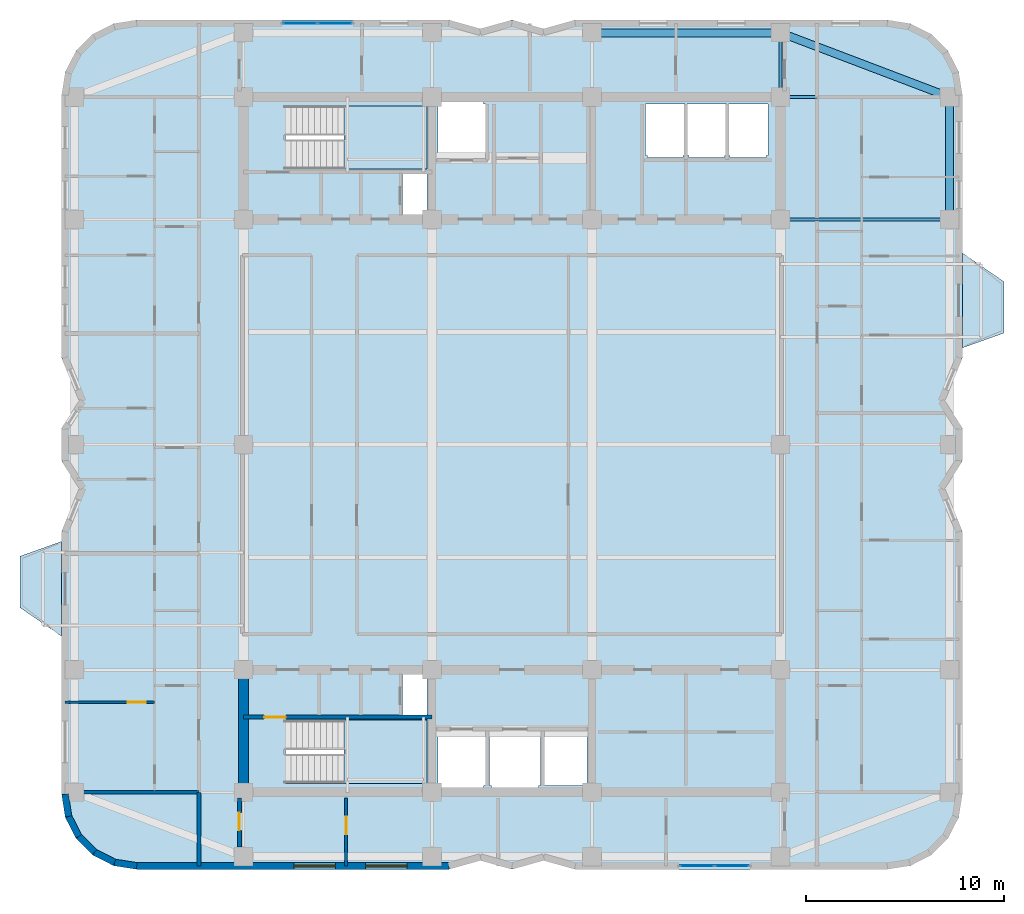
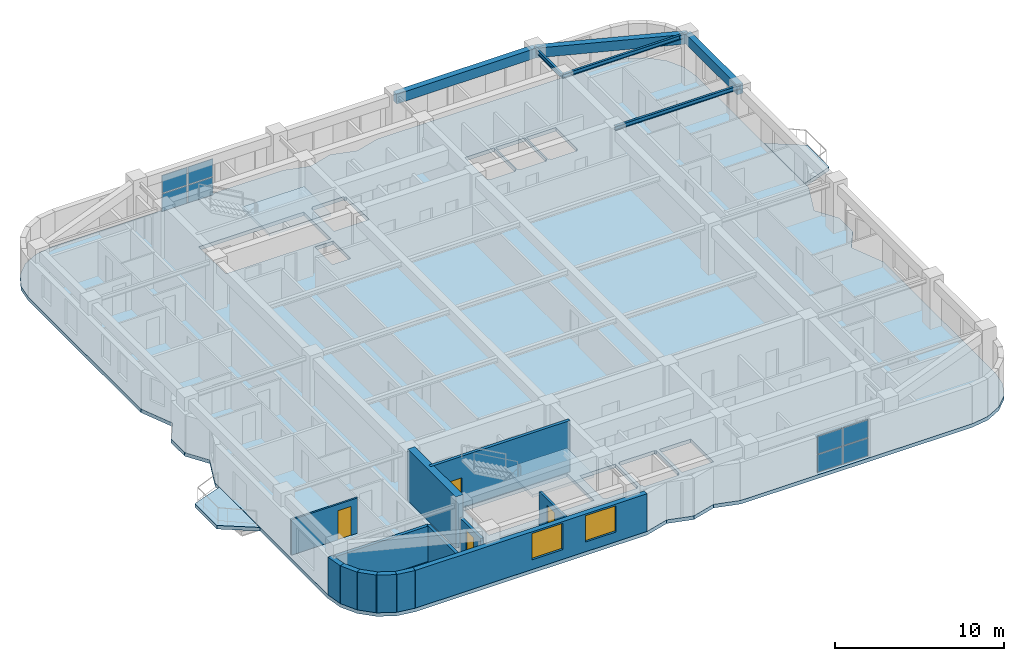
# One storey, part 4 of 12: 13 walls, 8 plates, 6 beams, 5 slabs, 4 doors, 2 windows, 6 openings, 4 elements without a shape of their own.
"""IFC4 building model written with IfcOpenShell, lengths in metres."""

import ifcopenshell
import ifcopenshell.guid

model = None  # the IFC model being written
_history = None  # IfcOwnerHistory: only IFC2X3 demands one
_inside = {}  # id of a spatial element -> (the spatial element, [elements in it])
_under = {}  # id of a project, library or spatial element -> (it, [spatial elements below it])
_declared = {}  # id of a project -> (the project, [libraries it declares])
_typed = {}  # id of a type object -> (the type object, [elements of that type])
_made_of = {}  # id of a material, layer set ... -> (it, [elements and type objects made of it])


def new_model(schema):
    """Start an empty IFC model of exactly this schema.

    Asked for "IFC4X3", IfcOpenShell would pick the latest addendum, in which some entities
    have other attributes; the version numbers below select the first issue.
    IFC2X3 requires an IfcOwnerHistory on every rooted entity: one is made here for all.
    """
    global model, _history
    if schema == "IFC4X3":
        model = ifcopenshell.file(schema_version=(4, 3, 0, 0))
    else:
        model = ifcopenshell.file(schema=schema)
    _inside.clear()
    _under.clear()
    _declared.clear()
    _typed.clear()
    _made_of.clear()
    _history = None
    if model.schema == "IFC2X3":
        org = make("IfcOrganization", Name="unknown")
        user = make(
            "IfcPersonAndOrganization",
            ThePerson=make("IfcPerson", FamilyName="unknown"),
            TheOrganization=org,
        )
        app = make(
            "IfcApplication",
            ApplicationDeveloper=org,
            Version="unknown",
            ApplicationFullName="unknown",
            ApplicationIdentifier="unknown",
        )
        _history = make(
            "IfcOwnerHistory",
            OwningUser=user,
            OwningApplication=app,
            ChangeAction="ADDED",
            CreationDate=0,
        )
    return model


def make(cls, **values):
    """One entity of the class cls with the attributes given. An attribute that is None is left unset."""
    return model.create_entity(
        cls, **{name: value for name, value in values.items() if value is not None}
    )


def rooted(cls, **values):
    """An entity with a GlobalId (a new one), such as an element, a storey or a relation."""
    return make(cls, GlobalId=ifcopenshell.guid.new(), OwnerHistory=_history, **values)


def si_unit(unit_type, name, prefix=None):
    """IfcSIUnit, for example si_unit("LENGTHUNIT", "METRE", prefix="MILLI")."""
    return make("IfcSIUnit", UnitType=unit_type, Prefix=prefix, Name=name)


def assignment(units):
    """IfcUnitAssignment: the units of a project."""
    return None if units is None else make("IfcUnitAssignment", Units=units)


def point(xyz):
    """IfcCartesianPoint."""
    return None if xyz is None else make("IfcCartesianPoint", Coordinates=xyz)


def direction(xyz):
    """IfcDirection."""
    return None if xyz is None else make("IfcDirection", DirectionRatios=xyz)


def frame(location, z_axis=None, x_axis=None):
    """IfcAxis2Placement3D, a coordinate frame: its origin and axes. An axis left out is left unset."""
    return make(
        "IfcAxis2Placement3D",
        Location=point(location),
        Axis=direction(z_axis),
        RefDirection=direction(x_axis),
    )


def frame_2d(location, x_axis=None):
    """IfcAxis2Placement2D, a coordinate frame in the plane: its origin and x axis."""
    return make(
        "IfcAxis2Placement2D", Location=point(location), RefDirection=direction(x_axis)
    )


def origin():
    """The frame at (0, 0, 0) with its axes left unset."""
    return frame((0.0, 0.0, 0.0))


def origin_2d():
    """The frame at (0, 0) in the plane with its x axis left unset."""
    return frame_2d((0.0, 0.0))


def place(relative_to, where):
    """IfcLocalPlacement: puts the frame where relative to a parent placement (None: the world)."""
    return make(
        "IfcLocalPlacement", PlacementRelTo=relative_to, RelativePlacement=where
    )


def context(
    kind, dimensions, precision=None, world=None, true_north=None, identifier=None
):
    """IfcGeometricRepresentationContext, for example the 3D "Model" context."""
    return make(
        "IfcGeometricRepresentationContext",
        ContextIdentifier=identifier,
        ContextType=kind,
        CoordinateSpaceDimension=dimensions,
        Precision=precision,
        WorldCoordinateSystem=world,
        TrueNorth=true_north,
    )


def subcontext(parent, identifier, kind, view, scale=None):
    """IfcGeometricRepresentationSubContext, for example "Body" below "Model"."""
    return make(
        "IfcGeometricRepresentationSubContext",
        ContextIdentifier=identifier,
        ContextType=kind,
        ParentContext=parent,
        TargetScale=scale,
        TargetView=view,
    )


def project(units=None, contexts=None):
    """IfcProject with its units and contexts."""
    return rooted(
        "IfcProject",
        Name="project",
        RepresentationContexts=contexts,
        UnitsInContext=assignment(units),
    )


def spatial(cls, under=None, at=None, **own):
    """A site, building, storey or space (cls), placed at a placement, below another one or the project."""
    s = rooted(cls, ObjectPlacement=at, **own)
    if under is not None:
        _under.setdefault(under.id(), (under, []))[1].append(s)
    return s


def polyline(points):
    """IfcPolyline through the points."""
    return make("IfcPolyline", Points=[point(p) for p in points])


def profile(cls, at=None, kind="AREA", **sizes):
    """A parametric profile (cls). Its sizes go by their IFC names, for example OverallWidth=200.0."""
    return make(cls, ProfileType=kind, Position=at, **sizes)


def rectangle(**sizes):
    """IfcRectangleProfileDef."""
    return profile("IfcRectangleProfileDef", **sizes)


def i_section(**sizes):
    """IfcIShapeProfileDef."""
    return profile("IfcIShapeProfileDef", **sizes)


def outline(outer, holes=None, kind="AREA"):
    """IfcArbitraryClosedProfileDef: a profile drawn as a closed curve; with holes, ...WithVoids."""
    if holes is None:
        return make("IfcArbitraryClosedProfileDef", ProfileType=kind, OuterCurve=outer)
    return make(
        "IfcArbitraryProfileDefWithVoids",
        ProfileType=kind,
        OuterCurve=outer,
        InnerCurves=holes,
    )


def extrude(swept, where, along, depth):
    """IfcExtrudedAreaSolid: the profile swept, set in the frame where, extruded along a direction by depth."""
    return make(
        "IfcExtrudedAreaSolid",
        SweptArea=swept,
        Position=where,
        ExtrudedDirection=direction(along),
        Depth=depth,
    )


def shape(context_of_items, identifier, shape_type, items):
    """IfcShapeRepresentation: the items that make up one representation, for example the "Body"."""
    return make(
        "IfcShapeRepresentation",
        ContextOfItems=context_of_items,
        RepresentationIdentifier=identifier,
        RepresentationType=shape_type,
        Items=items,
    )


def material(Name=None, Category=None):
    """IfcMaterial."""
    return make("IfcMaterial", Name=Name, Category=Category)


def layer(
    of_material, thickness, ventilated=None, Name=None, Category=None, Priority=None
):
    """IfcMaterialLayer: one layer of a wall or slab, of a material (None: an air gap)."""
    return make(
        "IfcMaterialLayer",
        Material=of_material,
        LayerThickness=thickness,
        IsVentilated=ventilated,
        Name=Name,
        Category=Category,
        Priority=Priority,
    )


def layer_set(layers, Name=None):
    """IfcMaterialLayerSet."""
    return make("IfcMaterialLayerSet", MaterialLayers=layers, LayerSetName=Name)


def material_profile(
    of_material, cross_section, Name=None, Category=None, Priority=None
):
    """IfcMaterialProfile: a cross section and its material."""
    return make(
        "IfcMaterialProfile",
        Name=Name,
        Material=of_material,
        Profile=cross_section,
        Priority=Priority,
        Category=Category,
    )


def profile_set(profiles, Name=None, composite=None):
    """IfcMaterialProfileSet."""
    return make(
        "IfcMaterialProfileSet",
        Name=Name,
        MaterialProfiles=profiles,
        CompositeProfile=composite,
    )


def made_of(thing, what):
    """Note that an element or type object is made of a material, layer set ...; save() writes the relation."""
    if what is not None:
        _made_of.setdefault(what.id(), (what, []))[1].append(thing)
    return thing


def type_object(cls, material=None, **own):
    """A type object (cls), such as IfcWallType, which elements share."""
    return made_of(rooted(cls, **own), material)


def element(
    cls,
    number,
    at=None,
    inside=None,
    cuts=None,
    type_object=None,
    material=None,
    context=None,
    identifier="Body",
    shape_type=None,
    held_by="IfcProductDefinitionShape",
    body=None,
    shapes=None,
    **own,
):
    """One element of the class cls, such as IfcWall. Its Tag is "e" and its number.

    at: its placement. inside: the storey or other place that contains it. cuts: it is an
    opening in that element (IfcRelVoidsElement). A single representation is given by context,
    identifier, shape_type and body (its items); several are given by shapes. held_by: the class
    of the entity that holds the representations. save() writes the other relations.
    """
    e = rooted(cls, Tag="e%d" % number, ObjectPlacement=at, **own)
    if body is not None:
        shapes = [shape(context, identifier, shape_type, body)]
    if shapes is not None:
        e.Representation = make(held_by, Representations=shapes)
    if inside is not None:
        _inside.setdefault(inside.id(), (inside, []))[1].append(e)
    if cuts is not None:
        rooted(
            "IfcRelVoidsElement", RelatingBuildingElement=cuts, RelatedOpeningElement=e
        )
    if type_object is not None:
        _typed.setdefault(type_object.id(), (type_object, []))[1].append(e)
    return made_of(e, material)


def fill(opening, filler):
    """IfcRelFillsElement: the door or window that sits in an opening."""
    return rooted(
        "IfcRelFillsElement",
        RelatingOpeningElement=opening,
        RelatedBuildingElement=filler,
    )


def aggregate(whole, parts):
    """IfcRelAggregates: a whole, such as a stair, and the parts it consists of."""
    return rooted("IfcRelAggregates", RelatingObject=whole, RelatedObjects=parts)


def save(model, path):
    """Write the relations noted so far, then the file.

    IfcRelAggregates (storeys below a building ...), IfcRelContainedInSpatialStructure (elements
    in a storey), IfcRelDefinesByType, IfcRelAssociatesMaterial and IfcRelDeclares: one each for
    every whole, place, type object, material and project.
    """
    for whole, parts in _under.values():
        aggregate(whole, parts)
    for where, things in _inside.values():
        rooted(
            "IfcRelContainedInSpatialStructure",
            RelatedElements=things,
            RelatingStructure=where,
        )
    for kind, things in _typed.values():
        rooted("IfcRelDefinesByType", RelatedObjects=things, RelatingType=kind)
    for what, things in _made_of.values():
        rooted("IfcRelAssociatesMaterial", RelatedObjects=things, RelatingMaterial=what)
    for by, libraries in _declared.values():
        rooted("IfcRelDeclares", RelatingContext=by, RelatedDefinitions=libraries)
    model.write(path)


model = new_model("IFC4")

# Units and contexts
model_context = context("Model", 3, precision=1e-05, world=origin(), true_north=direction((0.0, 1.0)))
body_context = subcontext(model_context, "Body", "Model", "MODEL_VIEW")
ifc_project = project(units=[si_unit("LENGTHUNIT", "METRE"), si_unit("AREAUNIT", "SQUARE_METRE"), si_unit("VOLUMEUNIT", "CUBIC_METRE"), si_unit("PLANEANGLEUNIT", "RADIAN"), si_unit("MASSUNIT", "GRAM", prefix="KILO")], contexts=[model_context])

# Site, building, storey
site_placement = place(None, origin())
site = spatial("IfcSite", under=ifc_project, at=site_placement, CompositionType="ELEMENT")
building_placement = place(site_placement, origin())
building = spatial("IfcBuilding", under=site, at=building_placement, Name="Svetorya Sky Lyceum", CompositionType="ELEMENT")
storey_placement = place(building_placement, frame((0.0, 0.0, 158.89990234375)))
storey = spatial("IfcBuildingStorey", under=building, at=storey_placement, Name="L39", CompositionType="ELEMENT", Elevation=158.89990234375)

# Beams
ifc_material_1 = material(Name="Concrete C50/60", Category="concrete")
ifc_material_profile_1 = material_profile(ifc_material_1, rectangle(XDim=0.39990234375, YDim=0.699951171875, at=origin_2d()), Name="RC SPANDREL 400x700")
ifc_profile_set_1 = profile_set([ifc_material_profile_1], Name="Concrete C50/60")
beam_type_1 = type_object("IfcBeamType", Name="BM-SPN-700", PredefinedType="SPANDREL", material=ifc_profile_set_1)
beam_1_placement = place(storey_placement, frame((43.25, 49.050048828125, 3.090087890625), z_axis=(1.0, 0.0, 0.0), x_axis=(0.0, 1.0, 0.0)))
element("IfcBeam", 1, at=beam_1_placement, inside=storey, type_object=beam_type_1, Name="L39 North Spandrel 3", PredefinedType="SPANDREL", context=body_context, shape_type="SweptSolid", body=[
    extrude(rectangle(XDim=0.39990234375, YDim=0.699951171875, at=origin_2d()), origin(), (0.0, 0.0, 1.0), 9.550048828125),
])
beam_2_placement = place(storey_placement, frame((61.35009765625, 45.800048828125, 3.090087890625), z_axis=(-0.934747947367, 0.355311518099, 0.0), x_axis=(-0.355311518099, -0.934747947367, 0.0)))
element("IfcBeam", 2, at=beam_2_placement, inside=storey, type_object=beam_type_1, Name="L39 Corner Spandrel 3", PredefinedType="SPANDREL", context=body_context, shape_type="SweptSolid", body=[
    extrude(rectangle(XDim=0.39990234375, YDim=0.699951171875, at=origin_2d()), origin(), (0.0, 0.0, 1.0), 9.14697265625),
])
beam_3_placement = place(storey_placement, frame((61.35009765625, 39.60009765625, 3.090087890625), z_axis=(0.0, 1.0, 0.0), x_axis=(-1.0, 0.0, 0.0)))
element("IfcBeam", 3, at=beam_3_placement, inside=storey, type_object=beam_type_1, Name="L39 East Spandrel 4", PredefinedType="SPANDREL", context=body_context, shape_type="SweptSolid", body=[
    extrude(rectangle(XDim=0.39990234375, YDim=0.699951171875, at=origin_2d()), origin(), (0.0, 0.0, 1.0), 6.199951171875),
])
ifc_material_2 = material(Name="Steel S355", Category="steel")
ifc_material_profile_2 = material_profile(ifc_material_2, i_section(OverallWidth=0.14990234375, OverallDepth=0.299072265625, WebThickness=0.006591796875, FlangeThickness=0.010498046875, at=origin_2d()), Name="GOST 30B2")
ifc_profile_set_2 = profile_set([ifc_material_profile_2], Name="Steel S355")
beam_type_2 = type_object("IfcBeamType", Name="BM-STL-30B2", PredefinedType="JOIST", material=ifc_profile_set_2)
for number, where, z_axis, x_axis, name in (
    (4, (52.800048828125, 39.60009765625, 3.29052734375), (1.0, 0.0, 0.0), (0.0, 1.0, 0.0), "L39 East Wing Floor Joist E4"),
    (5, (52.800048828125, 45.800048828125, 3.29052734375), (1.0, 0.0, 0.0), (0.0, 1.0, 0.0), "L39 East Wing Floor Joist E5"),
):
    element("IfcBeam", number, at=place(storey_placement, frame(where, z_axis=z_axis, x_axis=x_axis)), inside=storey, type_object=beam_type_2, Name=name, PredefinedType="JOIST", context=body_context, shape_type="SweptSolid", body=[
        extrude(i_section(OverallWidth=0.14990234375, OverallDepth=0.299072265625, WebThickness=0.006591796875, FlangeThickness=0.010498046875, at=origin_2d()), origin(), (0.0, 0.0, 1.0), 8.550048828125),
    ])
beam_4_placement = place(storey_placement, frame((52.800048828125, 45.800048828125, 3.29052734375), z_axis=(0.0, 1.0, 0.0), x_axis=(-1.0, 0.0, 0.0)))
element("IfcBeam", 6, at=beam_4_placement, inside=storey, type_object=beam_type_2, Name="L39 North Bay Floor Girder N4", PredefinedType="JOIST", context=body_context, shape_type="SweptSolid", body=[
    extrude(i_section(OverallWidth=0.14990234375, OverallDepth=0.299072265625, WebThickness=0.006591796875, FlangeThickness=0.010498046875, at=origin_2d()), origin(), (0.0, 0.0, 1.0), 3.25),
])

# Curtain wall, plates
ifc_material_3 = material(Name="Thermally broken anodized aluminium and triple low-E glass", Category="aluminium")
curtain_wall_type = type_object("IfcCurtainWallType", Name="CW3-LOG-RES", PredefinedType="NOTDEFINED", material=ifc_material_3)
curtain_wall_1_placement = place(storey_placement, origin())
curtain_wall_1 = element("IfcCurtainWall", 7, at=curtain_wall_1_placement, inside=storey, type_object=curtain_wall_type, Name="L39 Recessed Loggia Curtain Wall 11", PredefinedType="NOTDEFINED")
ifc_material_4 = material(Name="Triple insulated low-E solar-control glass", Category="glass")
ifc_layer_1 = layer(ifc_material_4, 0.048095703125)
ifc_layer_set_1 = layer_set([ifc_layer_1], Name="Triple insulated low-E solar-control glass")
plate_type = type_object("IfcPlateType", Name="CWP-GLZ-48", PredefinedType="CURTAIN_PANEL", material=ifc_layer_set_1)
plate_1_placement = place(storey_placement, frame((48.566162109375, 6.8701171875, 0.0634765625), z_axis=(0.0, 0.0, 1.0), x_axis=(1.0, 0.0, 0.0)))
plate_1 = element("IfcPlate", 8, at=plate_1_placement, type_object=plate_type, Name="CW-3 panel 1.1", PredefinedType="CURTAIN_PANEL", context=body_context, shape_type="SweptSolid", body=[
    extrude(rectangle(XDim=1.70556640625, YDim=0.048095703125, at=origin_2d()), origin(), (0.0, 0.0, 1.0), 1.265380859375),
])
plate_2_placement = place(storey_placement, frame((48.566162109375, 6.8701171875, 1.39111328125), z_axis=(0.0, 0.0, 1.0), x_axis=(1.0, 0.0, 0.0)))
plate_2 = element("IfcPlate", 9, at=plate_2_placement, type_object=plate_type, Name="CW-3 panel 1.2", PredefinedType="CURTAIN_PANEL", context=body_context, shape_type="SweptSolid", body=[
    extrude(rectangle(XDim=1.70556640625, YDim=0.048095703125, at=origin_2d()), origin(), (0.0, 0.0, 1.0), 1.265380859375),
])
plate_3_placement = place(storey_placement, frame((50.333740234375, 6.8701171875, 0.0634765625), z_axis=(0.0, 0.0, 1.0), x_axis=(1.0, 0.0, 0.0)))
plate_3 = element("IfcPlate", 10, at=plate_3_placement, type_object=plate_type, Name="CW-3 panel 2.1", PredefinedType="CURTAIN_PANEL", context=body_context, shape_type="SweptSolid", body=[
    extrude(rectangle(XDim=1.70556640625, YDim=0.048095703125, at=origin_2d()), origin(), (0.0, 0.0, 1.0), 1.265380859375),
])
plate_4_placement = place(storey_placement, frame((50.333740234375, 6.8701171875, 1.39111328125), z_axis=(0.0, 0.0, 1.0), x_axis=(1.0, 0.0, 0.0)))
plate_4 = element("IfcPlate", 11, at=plate_4_placement, type_object=plate_type, Name="CW-3 panel 2.2", PredefinedType="CURTAIN_PANEL", context=body_context, shape_type="SweptSolid", body=[
    extrude(rectangle(XDim=1.70556640625, YDim=0.048095703125, at=origin_2d()), origin(), (0.0, 0.0, 1.0), 1.265380859375),
])
aggregate(curtain_wall_1, [plate_1, plate_2, plate_3, plate_4])

curtain_wall_2_placement = place(storey_placement, origin())
curtain_wall_2 = element("IfcCurtainWall", 12, at=curtain_wall_2_placement, inside=storey, type_object=curtain_wall_type, Name="L39 Recessed Loggia Curtain Wall 34", PredefinedType="NOTDEFINED")
plate_5_placement = place(storey_placement, frame((30.233642578125, 49.530029296875, 0.0634765625), z_axis=(0.0, 0.0, 1.0), x_axis=(-1.0, 0.0, 0.0)))
plate_5 = element("IfcPlate", 13, at=plate_5_placement, type_object=plate_type, Name="CW-3 panel 1.1", PredefinedType="CURTAIN_PANEL", context=body_context, shape_type="SweptSolid", body=[
    extrude(rectangle(XDim=1.70556640625, YDim=0.048095703125, at=origin_2d()), origin(), (0.0, 0.0, 1.0), 1.265380859375),
])
plate_6_placement = place(storey_placement, frame((30.233642578125, 49.530029296875, 1.39111328125), z_axis=(0.0, 0.0, 1.0), x_axis=(-1.0, 0.0, 0.0)))
plate_6 = element("IfcPlate", 14, at=plate_6_placement, type_object=plate_type, Name="CW-3 panel 1.2", PredefinedType="CURTAIN_PANEL", context=body_context, shape_type="SweptSolid", body=[
    extrude(rectangle(XDim=1.70556640625, YDim=0.048095703125, at=origin_2d()), origin(), (0.0, 0.0, 1.0), 1.265380859375),
])
plate_7_placement = place(storey_placement, frame((28.46630859375, 49.530029296875, 0.0634765625), z_axis=(0.0, 0.0, 1.0), x_axis=(-1.0, 0.0, 0.0)))
plate_7 = element("IfcPlate", 15, at=plate_7_placement, type_object=plate_type, Name="CW-3 panel 2.1", PredefinedType="CURTAIN_PANEL", context=body_context, shape_type="SweptSolid", body=[
    extrude(rectangle(XDim=1.70556640625, YDim=0.048095703125, at=origin_2d()), origin(), (0.0, 0.0, 1.0), 1.265380859375),
])
plate_8_placement = place(storey_placement, frame((28.46630859375, 49.530029296875, 1.39111328125), z_axis=(0.0, 0.0, 1.0), x_axis=(-1.0, 0.0, 0.0)))
plate_8 = element("IfcPlate", 16, at=plate_8_placement, type_object=plate_type, Name="CW-3 panel 2.2", PredefinedType="CURTAIN_PANEL", context=body_context, shape_type="SweptSolid", body=[
    extrude(rectangle(XDim=1.70556640625, YDim=0.048095703125, at=origin_2d()), origin(), (0.0, 0.0, 1.0), 1.265380859375),
])
aggregate(curtain_wall_2, [plate_5, plate_6, plate_7, plate_8])

# Slabs
ifc_material_5 = material(Name="Concrete C40/50", Category="concrete")
ifc_layer_2 = layer(ifc_material_5, 0.260009765625)
ifc_layer_set_2 = layer_set([ifc_layer_2], Name="Concrete C40/50")
slab_type_1 = type_object("IfcSlabType", Name="SL-BAL-260", PredefinedType="FLOOR", material=ifc_layer_set_2)
slab_1_placement = place(storey_placement, frame((0.0, 0.0, -0.260009765625)))
element("IfcSlab", 17, at=slab_1_placement, inside=storey, type_object=slab_type_1, Name="L39 Chamfered Loggia Balcony BAL-W1", PredefinedType="FLOOR", context=body_context, shape_type="SweptSolid", body=[
    extrude(outline(polyline([(16.389892578125, 18.5), (16.389892578125, 23.300048828125), (14.2900390625, 22.550048828125), (14.2900390625, 19.949951171875), (16.389892578125, 18.5)])), origin(), (0.0, 0.0, 1.0), 0.260009765625),
])
slab_2_placement = place(storey_placement, frame((0.0, 0.0, -0.260009765625)))
element("IfcSlab", 18, at=slab_2_placement, inside=storey, type_object=slab_type_1, Name="L39 Chamfered Loggia Balcony BAL-E1", PredefinedType="FLOOR", context=body_context, shape_type="SweptSolid", body=[
    extrude(outline(polyline([(62.010009765625, 33.10009765625), (64.110107421875, 33.85009765625), (64.110107421875, 36.449951171875), (62.010009765625, 37.89990234375), (62.010009765625, 33.10009765625)])), origin(), (0.0, 0.0, 1.0), 0.260009765625),
])

# Stair, slab
stair_type_1 = type_object("IfcStairType", Name="STR-ST-S", PredefinedType="HALF_TURN_STAIR", material=ifc_material_5)
stair_1_placement = place(storey_placement, origin())
stair_1 = element("IfcStair", 19, at=stair_1_placement, inside=storey, type_object=stair_type_1, Name="L39 South Core Smoke-Free Exit Stair N2", PredefinedType="HALF_TURN_STAIR")
ifc_layer_3 = layer(ifc_material_5, 0.199951171875)
ifc_layer_set_3 = layer_set([ifc_layer_3], Name="Concrete C40/50")
slab_type_2 = type_object("IfcSlabType", Name="SL-STR-LAND-200", PredefinedType="LANDING", material=ifc_layer_set_3)
slab_3_placement = place(storey_placement, frame((0.0, 0.0, 1.650146484375)))
slab_3 = element("IfcSlab", 20, at=slab_3_placement, type_object=slab_type_2, Name="ST-S landing 1", PredefinedType="LANDING", context=body_context, shape_type="SweptSolid", body=[
    extrude(outline(polyline([(30.699951171875, 11.050048828125), (34.89990234375, 11.050048828125), (34.89990234375, 14.25), (30.699951171875, 14.25), (30.699951171875, 11.050048828125)])), origin(), (0.0, 0.0, 1.0), 0.199951171875),
])
aggregate(stair_1, [slab_3])

stair_type_2 = type_object("IfcStairType", Name="STR-ST-N", PredefinedType="HALF_TURN_STAIR", material=ifc_material_5)
stair_2_placement = place(storey_placement, origin())
stair_2 = element("IfcStair", 21, at=stair_2_placement, inside=storey, type_object=stair_type_2, Name="L39 North Core Smoke-Free Exit Stair N3", PredefinedType="HALF_TURN_STAIR")
slab_4_placement = place(storey_placement, frame((0.0, 0.0, 1.650146484375)))
slab_4 = element("IfcSlab", 22, at=slab_4_placement, type_object=slab_type_2, Name="ST-N landing 1", PredefinedType="LANDING", context=body_context, shape_type="SweptSolid", body=[
    extrude(outline(polyline([(30.699951171875, 42.14990234375), (34.89990234375, 42.14990234375), (34.89990234375, 45.35009765625), (30.699951171875, 45.35009765625), (30.699951171875, 42.14990234375)])), origin(), (0.0, 0.0, 1.0), 0.199951171875),
])
aggregate(stair_2, [slab_4])

# Slab
ifc_layer_4 = layer(ifc_material_1, 0.260009765625)
ifc_layer_set_4 = layer_set([ifc_layer_4], Name="Concrete C50/60")
slab_type_3 = type_object("IfcSlabType", Name="SL-TWR-260", PredefinedType="FLOOR", material=ifc_layer_set_4)
slab_5_placement = place(storey_placement, frame((0.0, 0.0, -0.260009765625)))
element("IfcSlab", 23, at=slab_5_placement, inside=storey, type_object=slab_type_3, Name="L39 Structural Floor Slab", PredefinedType="FLOOR", context=body_context, shape_type="SweptSolid", body=[
    extrude(outline(polyline([(16.39990234375, 10.5), (16.5859375, 9.32568359375), (17.125732421875, 8.266357421875), (17.96630859375, 7.42578125), (19.025634765625, 6.885986328125), (20.199951171875, 6.699951171875), (36.0, 6.699951171875), (37.60009765625, 7.14990234375), (39.199951171875, 6.699951171875), (40.800048828125, 7.14990234375), (42.39990234375, 6.699951171875), (58.199951171875, 6.699951171875), (59.374267578125, 6.885986328125), (60.43359375, 7.42578125), (61.2744140625, 8.266357421875), (61.81396484375, 9.32568359375), (62.0, 10.5), (62.0, 23.800048828125), (61.10009765625, 26.0), (62.0, 27.39990234375), (62.0, 29.0), (61.10009765625, 30.39990234375), (62.0, 32.60009765625), (62.0, 45.89990234375), (61.81396484375, 47.07421875), (61.2744140625, 48.133544921875), (60.43359375, 48.974365234375), (59.374267578125, 49.513916015625), (58.199951171875, 49.699951171875), (42.39990234375, 49.699951171875), (40.800048828125, 49.25), (39.199951171875, 49.699951171875), (37.60009765625, 49.25), (36.0, 49.699951171875), (20.199951171875, 49.699951171875), (19.025634765625, 49.513916015625), (17.96630859375, 48.974365234375), (17.125732421875, 48.133544921875), (16.5859375, 47.07421875), (16.39990234375, 45.89990234375), (16.39990234375, 32.60009765625), (17.300048828125, 30.39990234375), (16.39990234375, 29.0), (16.39990234375, 27.39990234375), (17.300048828125, 26.0), (16.39990234375, 23.800048828125), (16.39990234375, 10.5)]), holes=[polyline([(37.85009765625, 10.949951171875), (37.75, 10.949951171875), (37.75, 10.85009765625), (35.550048828125, 10.85009765625), (35.550048828125, 10.949951171875), (35.449951171875, 10.949951171875), (35.449951171875, 13.64990234375), (35.550048828125, 13.64990234375), (37.75, 13.64990234375), (37.85009765625, 13.64990234375), (37.85009765625, 10.949951171875)]), polyline([(38.14990234375, 10.800048828125), (38.14990234375, 10.949951171875), (38.050048828125, 10.949951171875), (38.050048828125, 13.64990234375), (38.14990234375, 13.64990234375), (38.14990234375, 13.699951171875), (40.550048828125, 13.699951171875), (40.550048828125, 13.64990234375), (40.64990234375, 13.64990234375), (40.64990234375, 10.949951171875), (40.550048828125, 10.949951171875), (40.550048828125, 10.800048828125), (38.14990234375, 10.800048828125)]), polyline([(27.719970703125, 11.050048828125), (27.719970703125, 14.25), (34.89990234375, 14.25), (34.89990234375, 11.050048828125), (27.719970703125, 11.050048828125)]), polyline([(33.64990234375, 14.52001953125), (33.64990234375, 16.580078125), (34.89990234375, 16.580078125), (34.89990234375, 14.52001953125), (33.64990234375, 14.52001953125)]), polyline([(33.64990234375, 39.820068359375), (33.64990234375, 41.89990234375), (34.89990234375, 41.89990234375), (34.89990234375, 39.820068359375), (33.64990234375, 39.820068359375)]), polyline([(27.719970703125, 42.14990234375), (27.719970703125, 45.35009765625), (34.89990234375, 45.35009765625), (34.89990234375, 42.14990234375), (27.719970703125, 42.14990234375)]), polyline([(37.75, 42.75), (35.550048828125, 42.75), (35.449951171875, 42.75), (35.449951171875, 45.449951171875), (35.550048828125, 45.449951171875), (35.550048828125, 45.550048828125), (37.75, 45.550048828125), (37.75, 45.449951171875), (37.85009765625, 45.449951171875), (37.85009765625, 42.75), (37.75, 42.75)]), polyline([(40.85009765625, 10.949951171875), (40.85009765625, 13.64990234375), (43.0, 13.64990234375), (43.0, 10.949951171875), (40.85009765625, 10.949951171875)]), polyline([(46.050048828125, 42.75), (46.050048828125, 42.85009765625), (45.949951171875, 42.85009765625), (45.949951171875, 45.449951171875), (46.050048828125, 45.449951171875), (47.85009765625, 45.449951171875), (47.949951171875, 45.449951171875), (47.949951171875, 42.85009765625), (47.85009765625, 42.85009765625), (47.85009765625, 42.75), (46.050048828125, 42.75)]), polyline([(50.050048828125, 42.85009765625), (49.949951171875, 42.85009765625), (49.949951171875, 42.75), (48.14990234375, 42.75), (48.14990234375, 42.85009765625), (48.050048828125, 42.85009765625), (48.050048828125, 45.449951171875), (48.14990234375, 45.449951171875), (49.949951171875, 45.449951171875), (50.050048828125, 45.449951171875), (50.050048828125, 42.85009765625)]), polyline([(52.14990234375, 42.85009765625), (52.050048828125, 42.85009765625), (52.050048828125, 42.75), (50.25, 42.75), (50.25, 42.85009765625), (50.14990234375, 42.85009765625), (50.14990234375, 45.449951171875), (50.25, 45.449951171875), (52.050048828125, 45.449951171875), (52.14990234375, 45.449951171875), (52.14990234375, 42.85009765625)])]), origin(), (0.0, 0.0, 1.0), 0.260009765625),
])

# Walls
ifc_layer_5 = layer(ifc_material_1, 0.5)
ifc_layer_set_5 = layer_set([ifc_layer_5], Name="Concrete C50/60")
wall_type_1 = type_object("IfcWallType", Name="WL-CORE-500", PredefinedType="SHEAR", material=ifc_layer_set_5)
wall_1_placement = place(storey_placement, frame((25.60009765625, 10.85009765625, 0.0), z_axis=(0.0, 0.0, 1.0), x_axis=(0.0, 1.0, 0.0)))
element("IfcWall", 24, at=wall_1_placement, inside=storey, type_object=wall_type_1, Name="L39 SC West Core Shear Wall", PredefinedType="SHEAR", context=body_context, shape_type="SweptSolid", body=[
    extrude(rectangle(XDim=5.699951171875, YDim=0.5, at=frame_2d((2.85009765625, 0.0))), origin(), (0.0, 0.0, 1.0), 3.7001953125),
])
ifc_material_6 = material(Name="Putilovo limestone rainscreen on autoclaved cellular masonry", Category="masonry")
ifc_layer_6 = layer(ifc_material_6, 0.340087890625)
ifc_layer_set_6 = layer_set([ifc_layer_6], Name="Putilovo limestone rainscreen on autoclaved cellular masonry")
wall_type_2 = type_object("IfcWallType", Name="WL-EXT-340", PredefinedType="SOLIDWALL", material=ifc_layer_set_6)
wall_2_placement = place(storey_placement, frame((16.570068359375, 10.5, 0.0), z_axis=(0.0, 0.0, 1.0), x_axis=(0.156514556949, -0.987675651954, 0.0)))
element("IfcWall", 25, at=wall_2_placement, inside=storey, type_object=wall_type_2, Name="L39 Limestone Exterior Wall 1M", PredefinedType="SOLIDWALL", context=body_context, shape_type="SweptSolid", body=[
    extrude(rectangle(XDim=1.135498046875, YDim=0.340087890625, at=frame_2d((0.56787109375, 0.0))), origin(), (0.0, 0.0, 1.0), 2.72021484375),
])
for number, where, z_axis, x_axis, name in (
    (26, (16.747802734375, 9.37841796875, 0.0), (0.0, 0.0, 1.0), (0.45373580117, -0.891136253744, 0.0), "L39 Limestone Exterior Wall 2M"),
    (27, (17.26318359375, 8.3662109375, 0.0), (0.0, 0.0, 1.0), (0.707214252388, -0.706999293649, 0.0), "L39 Limestone Exterior Wall 3M"),
    (28, (18.06640625, 7.563232421875, 0.0), (0.0, 0.0, 1.0), (0.891005044957, -0.453993402883, 0.0), "L39 Limestone Exterior Wall 4M"),
):
    element("IfcWall", number, at=place(storey_placement, frame(where, z_axis=z_axis, x_axis=x_axis)), inside=storey, type_object=wall_type_2, Name=name, PredefinedType="SOLIDWALL", context=body_context, shape_type="SweptSolid", body=[
        extrude(rectangle(XDim=1.1357421875, YDim=0.340087890625, at=frame_2d((0.56787109375, 0.0))), origin(), (0.0, 0.0, 1.0), 2.72021484375),
    ])
wall_3_placement = place(storey_placement, frame((19.078369140625, 7.047607421875, 0.0), z_axis=(0.0, 0.0, 1.0), x_axis=(0.987708865555, -0.156304820474, 0.0)))
element("IfcWall", 29, at=wall_3_placement, inside=storey, type_object=wall_type_2, Name="L39 Limestone Exterior Wall 5M", PredefinedType="SOLIDWALL", context=body_context, shape_type="SweptSolid", body=[
    extrude(rectangle(XDim=1.135498046875, YDim=0.340087890625, at=frame_2d((0.56787109375, 0.0))), origin(), (0.0, 0.0, 1.0), 2.72021484375),
])

# Wall, openings, windows
wall_4_placement = place(storey_placement, frame((20.199951171875, 6.8701171875, 0.0), z_axis=(0.0, 0.0, 1.0), x_axis=(1.0, 0.0, 0.0)))
wall_4 = element("IfcWall", 30, at=wall_4_placement, inside=storey, type_object=wall_type_2, Name="L39 Limestone Exterior Wall 6M", PredefinedType="SOLIDWALL", context=body_context, shape_type="SweptSolid", body=[
    extrude(rectangle(XDim=15.800048828125, YDim=0.340087890625, at=frame_2d((7.89990234375, 0.0))), origin(), (0.0, 0.0, 1.0), 2.72021484375),
])
opening_1_placement = place(wall_4_placement, frame((7.96240234375, 0.0, 0.699951171875)))
opening_1 = element("IfcOpeningElement", 31, at=opening_1_placement, cuts=wall_4, Name="Opening W-R0", PredefinedType="OPENING", context=body_context, shape_type="SweptSolid", body=[
    extrude(rectangle(XDim=2.10009765625, YDim=1.89990234375, at=frame_2d((1.050048828125, 0.949951171875))), frame((0.0, 0.179931640625, 0.0), z_axis=(0.0, -1.0, 0.0), x_axis=(1.0, 0.0, 0.0)), (0.0, 0.0, 1.0), 0.360107421875),
])
opening_2_placement = place(wall_4_placement, frame((11.58740234375, 0.0, 0.699951171875)))
opening_2 = element("IfcOpeningElement", 32, at=opening_2_placement, cuts=wall_4, Name="Opening W-R0", PredefinedType="OPENING", context=body_context, shape_type="SweptSolid", body=[
    extrude(rectangle(XDim=2.10009765625, YDim=1.89990234375, at=frame_2d((1.050048828125, 0.949951171875))), frame((0.0, 0.179931640625, 0.0), z_axis=(0.0, -1.0, 0.0), x_axis=(1.0, 0.0, 0.0)), (0.0, 0.0, 1.0), 0.360107421875),
])
ifc_material_7 = material(Name="Thermally broken aluminium frame with triple low-E glazing", Category="aluminium")
window_type = type_object("IfcWindowType", Name="WN-RES-210", PartitioningType="TRIPLE_PANEL_VERTICAL", PredefinedType="WINDOW", material=ifc_material_7)
window_1_placement = place(opening_1_placement, origin())
window_1 = element("IfcWindow", 33, at=window_1_placement, inside=storey, type_object=window_type, Name="L39 Facade Window W-R0.6M.1", OverallHeight=1.89990234375, OverallWidth=2.10009765625, PartitioningType="SINGLE_PANEL", PredefinedType="WINDOW", context=body_context, shape_type="SweptSolid", body=[
    extrude(rectangle(XDim=2.10009765625, YDim=1.89990234375, at=frame_2d((1.050048828125, 0.949951171875))), frame((0.0, 0.030029296875, 0.0), z_axis=(0.0, -1.0, 0.0), x_axis=(1.0, 0.0, 0.0)), (0.0, 0.0, 1.0), 0.06005859375),
])
fill(opening_1, window_1)
window_2_placement = place(opening_2_placement, origin())
window_2 = element("IfcWindow", 34, at=window_2_placement, inside=storey, type_object=window_type, Name="L39 Facade Window W-R0.6M.2", OverallHeight=1.89990234375, OverallWidth=2.10009765625, PartitioningType="SINGLE_PANEL", PredefinedType="WINDOW", context=body_context, shape_type="SweptSolid", body=[
    extrude(rectangle(XDim=2.10009765625, YDim=1.89990234375, at=frame_2d((1.050048828125, 0.949951171875))), frame((0.0, 0.030029296875, 0.0), z_axis=(0.0, -1.0, 0.0), x_axis=(1.0, 0.0, 0.0)), (0.0, 0.0, 1.0), 0.06005859375),
])
fill(opening_2, window_2)

# Wall, opening, door
ifc_material_8 = material(Name="Twin-stud galvanized framing with double fireboard", Category="gypsum")
ifc_layer_7 = layer(ifc_material_8, 0.1201171875)
ifc_layer_set_7 = layer_set([ifc_layer_7], Name="Twin-stud galvanized framing with double fireboard")
wall_type_3 = type_object("IfcWallType", Name="WL-PART-120", PredefinedType="PARTITIONING", material=ifc_layer_set_7)
wall_5_placement = place(storey_placement, frame((16.570068359375, 15.14990234375, 0.0), z_axis=(0.0, 0.0, 1.0), x_axis=(1.0, 0.0, 0.0)))
wall_5 = element("IfcWall", 35, at=wall_5_placement, inside=storey, type_object=wall_type_3, Name="L39 Interior Partition W1-WL1", PredefinedType="PARTITIONING", context=body_context, shape_type="SweptSolid", body=[
    extrude(rectangle(XDim=4.530029296875, YDim=0.1201171875, at=frame_2d((2.26513671875, 0.0))), origin(), (0.0, 0.0, 1.0), 2.550048828125),
])
opening_3_placement = place(wall_5_placement, frame((3.179931640625, 0.0, 0.0)))
opening_3 = element("IfcOpeningElement", 36, at=opening_3_placement, cuts=wall_5, Name="Opening D-RM1", PredefinedType="OPENING", context=body_context, shape_type="SweptSolid", body=[
    extrude(rectangle(XDim=0.89990234375, YDim=2.10009765625, at=frame_2d((0.449951171875, 1.050048828125))), frame((0.0, 0.070068359375, 0.0), z_axis=(0.0, -1.0, 0.0), x_axis=(1.0, 0.0, 0.0)), (0.0, 0.0, 1.0), 0.14013671875),
])
ifc_material_9 = material(Name="Lacquered birch veneer internal door")
door_type_1 = type_object("IfcDoorType", Name="DR-INT-900", OperationType="SINGLE_SWING_LEFT", PredefinedType="DOOR", material=ifc_material_9)
door_1_placement = place(opening_3_placement, origin())
door_1 = element("IfcDoor", 37, at=door_1_placement, inside=storey, type_object=door_type_1, Name="Apartment W1 Bedroom 1 Door", OperationType="SINGLE_SWING_LEFT", OverallHeight=2.10009765625, OverallWidth=0.89990234375, PredefinedType="DOOR", context=body_context, shape_type="SweptSolid", body=[
    extrude(rectangle(XDim=0.89990234375, YDim=2.10009765625, at=frame_2d((0.449951171875, 1.050048828125))), frame((0.0, 0.02490234375, 0.0), z_axis=(0.0, -1.0, 0.0), x_axis=(1.0, 0.0, 0.0)), (0.0, 0.0, 1.0), 0.050048828125),
])
fill(opening_3, door_1)

ifc_material_10 = material(Name="Autoclaved cellular masonry blockwork with acoustic render", Category="masonry")
ifc_layer_8 = layer(ifc_material_10, 0.14990234375)
ifc_layer_set_8 = layer_set([ifc_layer_8], Name="Autoclaved cellular masonry blockwork with acoustic render")
wall_type_4 = type_object("IfcWallType", Name="WL-PART-150", PredefinedType="PARTITIONING", material=ifc_layer_set_8)
wall_6_placement = place(storey_placement, frame((30.800048828125, 6.8701171875, 0.0), z_axis=(0.0, 0.0, 1.0), x_axis=(0.0, 1.0, 0.0)))
wall_6 = element("IfcWall", 38, at=wall_6_placement, inside=storey, type_object=wall_type_4, Name="L39 Interior Partition S4-D1", PredefinedType="PARTITIONING", context=body_context, shape_type="SweptSolid", body=[
    extrude(rectangle(XDim=3.429931640625, YDim=0.14990234375, at=frame_2d((1.71484375, 0.0))), origin(), (0.0, 0.0, 1.0), 2.550048828125),
])
opening_4_placement = place(wall_6_placement, frame((1.60009765625, 0.0, 0.0)))
opening_4 = element("IfcOpeningElement", 39, at=opening_4_placement, cuts=wall_6, Name="Opening D-RM1", PredefinedType="OPENING", context=body_context, shape_type="SweptSolid", body=[
    extrude(rectangle(XDim=0.89990234375, YDim=2.10009765625, at=frame_2d((0.449951171875, 1.050048828125))), frame((0.0, 0.0849609375, 0.0), z_axis=(0.0, -1.0, 0.0), x_axis=(1.0, 0.0, 0.0)), (0.0, 0.0, 1.0), 0.169921875),
])
door_2_placement = place(opening_4_placement, origin())
door_2 = element("IfcDoor", 40, at=door_2_placement, inside=storey, type_object=door_type_1, Name="L39 South Suite Door 1", OperationType="SINGLE_SWING_LEFT", OverallHeight=2.10009765625, OverallWidth=0.89990234375, PredefinedType="DOOR", context=body_context, shape_type="SweptSolid", body=[
    extrude(rectangle(XDim=0.89990234375, YDim=2.10009765625, at=frame_2d((0.449951171875, 1.050048828125))), frame((0.0, 0.02490234375, 0.0), z_axis=(0.0, -1.0, 0.0), x_axis=(1.0, 0.0, 0.0)), (0.0, 0.0, 1.0), 0.050048828125),
])
fill(opening_4, door_2)

# Walls
ifc_material_11 = material(Name="Autoclaved cellular masonry blockwork with gypsum plaster", Category="masonry")
ifc_layer_9 = layer(ifc_material_11, 0.199951171875)
ifc_layer_set_9 = layer_set([ifc_layer_9], Name="Autoclaved cellular masonry blockwork with gypsum plaster")
wall_type_5 = type_object("IfcWallType", Name="WL-PART-200", PredefinedType="PARTITIONING", material=ifc_layer_set_9)
wall_7_placement = place(storey_placement, frame((16.989990234375, 10.60009765625, 0.0), z_axis=(0.0, 0.0, 1.0), x_axis=(1.0, 0.0, 0.0)))
element("IfcWall", 41, at=wall_7_placement, inside=storey, type_object=wall_type_5, Name="L39 Interior Partition W-CAP-S", PredefinedType="PARTITIONING", context=body_context, shape_type="SweptSolid", body=[
    extrude(rectangle(XDim=6.360107421875, YDim=0.199951171875, at=frame_2d((3.18017578125, 0.0))), origin(), (0.0, 0.0, 1.0), 2.550048828125),
])
wall_8_placement = place(storey_placement, frame((23.35009765625, 6.8701171875, 0.0), z_axis=(0.0, 0.0, 1.0), x_axis=(0.0, 1.0, 0.0)))
element("IfcWall", 42, at=wall_8_placement, inside=storey, type_object=wall_type_5, Name="L39 Interior Partition WC-SW-END", PredefinedType="PARTITIONING", context=body_context, shape_type="SweptSolid", body=[
    extrude(rectangle(XDim=3.72998046875, YDim=0.199951171875, at=frame_2d((1.864990234375, 0.0))), origin(), (0.0, 0.0, 1.0), 2.550048828125),
])

# Wall, opening, door
wall_9_placement = place(storey_placement, frame((25.39990234375, 7.820068359375, 0.0), z_axis=(0.0, 0.0, 1.0), x_axis=(0.0, 1.0, 0.0)))
wall_9 = element("IfcWall", 43, at=wall_9_placement, inside=storey, type_object=wall_type_5, Name="L39 Interior Partition S4-EW", PredefinedType="PARTITIONING", context=body_context, shape_type="SweptSolid", body=[
    extrude(rectangle(XDim=2.47998046875, YDim=0.199951171875, at=frame_2d((1.239990234375, 0.0))), origin(), (0.0, 0.0, 1.0), 2.550048828125),
])
opening_5_placement = place(wall_9_placement, frame((0.85009765625, 0.0, 0.0)))
opening_5 = element("IfcOpeningElement", 44, at=opening_5_placement, cuts=wall_9, Name="Opening D-RM1", PredefinedType="OPENING", context=body_context, shape_type="SweptSolid", body=[
    extrude(rectangle(XDim=0.89990234375, YDim=2.10009765625, at=frame_2d((0.449951171875, 1.050048828125))), frame((0.0, 0.10986328125, 0.0), z_axis=(0.0, -1.0, 0.0), x_axis=(1.0, 0.0, 0.0)), (0.0, 0.0, 1.0), 0.219970703125),
])
door_3_placement = place(opening_5_placement, origin())
door_3 = element("IfcDoor", 45, at=door_3_placement, inside=storey, type_object=door_type_1, Name="L39 SW Office Door", OperationType="SINGLE_SWING_LEFT", OverallHeight=2.10009765625, OverallWidth=0.89990234375, PredefinedType="DOOR", context=body_context, shape_type="SweptSolid", body=[
    extrude(rectangle(XDim=0.89990234375, YDim=2.10009765625, at=frame_2d((0.449951171875, 1.050048828125))), frame((0.0, 0.02490234375, 0.0), z_axis=(0.0, -1.0, 0.0), x_axis=(1.0, 0.0, 0.0)), (0.0, 0.0, 1.0), 0.050048828125),
])
fill(opening_5, door_3)

ifc_layer_10 = layer(ifc_material_1, 0.199951171875)
ifc_layer_set_10 = layer_set([ifc_layer_10], Name="Concrete C50/60")
wall_type_6 = type_object("IfcWallType", Name="WL-SHW-200", PredefinedType="SHEAR", material=ifc_layer_set_10)
wall_10_placement = place(storey_placement, frame((25.60009765625, 14.39990234375, 0.0), z_axis=(0.0, 0.0, 1.0), x_axis=(1.0, 0.0, 0.0)))
wall_10 = element("IfcWall", 46, at=wall_10_placement, inside=storey, type_object=wall_type_6, Name="L39 Structural Stair Shaft Wall SC-STW", PredefinedType="SHEAR", context=body_context, shape_type="SweptSolid", body=[
    extrude(rectangle(XDim=9.5498046875, YDim=0.199951171875, at=frame_2d((4.77490234375, 0.0))), origin(), (0.0, 0.0, 1.0), 3.7001953125),
])
opening_6_placement = place(wall_10_placement, frame((1.050048828125, 0.0, 0.0)))
opening_6 = element("IfcOpeningElement", 47, at=opening_6_placement, cuts=wall_10, Name="Opening D-ST1", PredefinedType="OPENING", context=body_context, shape_type="SweptSolid", body=[
    extrude(rectangle(XDim=1.10009765625, YDim=2.14990234375, at=frame_2d((0.550048828125, 1.074951171875))), frame((0.0, 0.10986328125, 0.0), z_axis=(0.0, -1.0, 0.0), x_axis=(1.0, 0.0, 0.0)), (0.0, 0.0, 1.0), 0.219970703125),
])
ifc_material_12 = material(Name="Powder-coated insulated galvanized stair fire door")
door_type_2 = type_object("IfcDoorType", Name="DR-FIRE-1100", OperationType="SINGLE_SWING_LEFT", PredefinedType="DOOR", material=ifc_material_12)
door_4_placement = place(opening_6_placement, origin())
door_4 = element("IfcDoor", 48, at=door_4_placement, inside=storey, type_object=door_type_2, Name="L39 Stair ST-S Vestibule Fire Door", OperationType="SINGLE_SWING_LEFT", OverallHeight=2.14990234375, OverallWidth=1.10009765625, PredefinedType="DOOR", context=body_context, shape_type="SweptSolid", body=[
    extrude(rectangle(XDim=1.10009765625, YDim=2.14990234375, at=frame_2d((0.550048828125, 1.074951171875))), frame((0.0, 0.02490234375, 0.0), z_axis=(0.0, -1.0, 0.0), x_axis=(1.0, 0.0, 0.0)), (0.0, 0.0, 1.0), 0.050048828125),
])
fill(opening_6, door_4)

save(model, "model.ifc")
